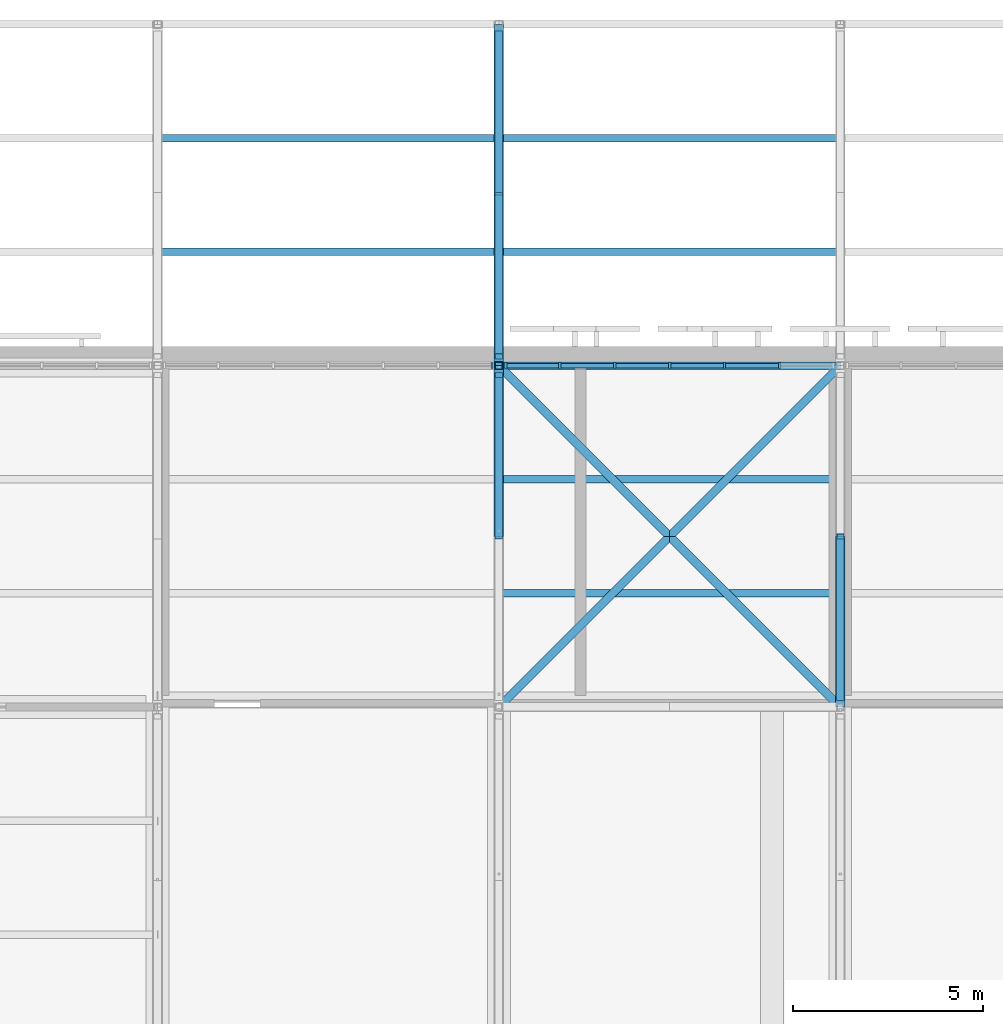
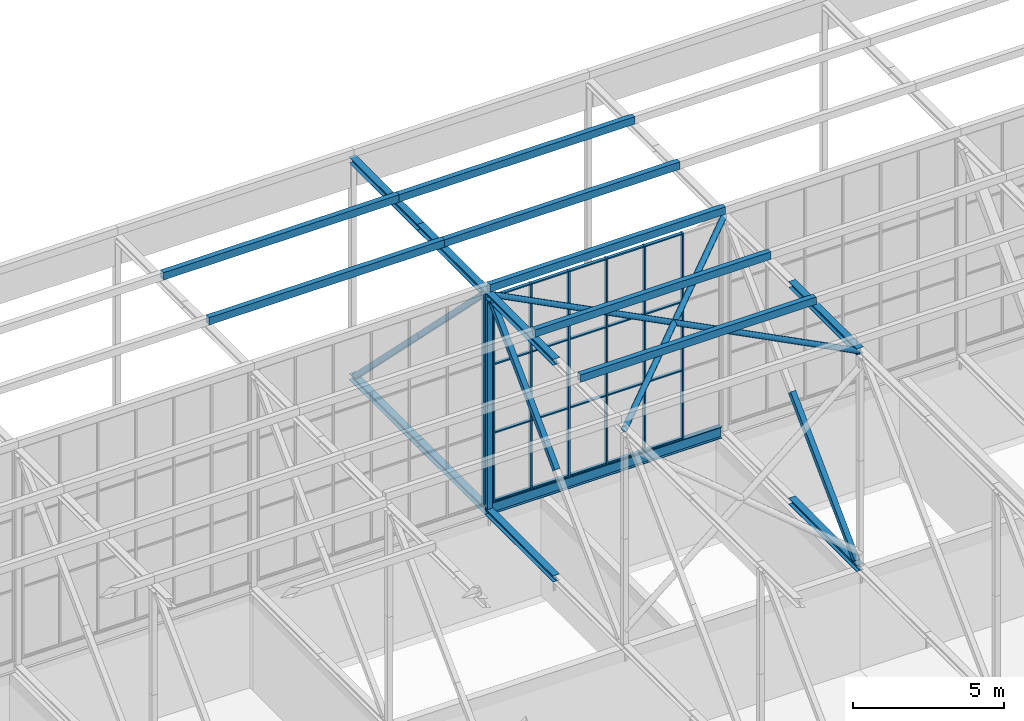
# One storey, part 118 of 646: 52 members, 1 beam, 2 elements without a shape of their own.
"""IFC4 building model written with IfcOpenShell, lengths in metres."""

import ifcopenshell
import ifcopenshell.guid

model = None  # the IFC model being written
_history = None  # IfcOwnerHistory: only IFC2X3 demands one
_inside = {}  # id of a spatial element -> (the spatial element, [elements in it])
_under = {}  # id of a project, library or spatial element -> (it, [spatial elements below it])
_declared = {}  # id of a project -> (the project, [libraries it declares])
_typed = {}  # id of a type object -> (the type object, [elements of that type])
_made_of = {}  # id of a material, layer set ... -> (it, [elements and type objects made of it])


def new_model(schema):
    """Start an empty IFC model of exactly this schema.

    Asked for "IFC4X3", IfcOpenShell would pick the latest addendum, in which some entities
    have other attributes; the version numbers below select the first issue.
    IFC2X3 requires an IfcOwnerHistory on every rooted entity: one is made here for all.
    """
    global model, _history
    if schema == "IFC4X3":
        model = ifcopenshell.file(schema_version=(4, 3, 0, 0))
    else:
        model = ifcopenshell.file(schema=schema)
    _inside.clear()
    _under.clear()
    _declared.clear()
    _typed.clear()
    _made_of.clear()
    _history = None
    if model.schema == "IFC2X3":
        org = make("IfcOrganization", Name="unknown")
        user = make(
            "IfcPersonAndOrganization",
            ThePerson=make("IfcPerson", FamilyName="unknown"),
            TheOrganization=org,
        )
        app = make(
            "IfcApplication",
            ApplicationDeveloper=org,
            Version="unknown",
            ApplicationFullName="unknown",
            ApplicationIdentifier="unknown",
        )
        _history = make(
            "IfcOwnerHistory",
            OwningUser=user,
            OwningApplication=app,
            ChangeAction="ADDED",
            CreationDate=0,
        )
    return model


def make(cls, **values):
    """One entity of the class cls with the attributes given. An attribute that is None is left unset."""
    return model.create_entity(
        cls, **{name: value for name, value in values.items() if value is not None}
    )


def rooted(cls, **values):
    """An entity with a GlobalId (a new one), such as an element, a storey or a relation."""
    return make(cls, GlobalId=ifcopenshell.guid.new(), OwnerHistory=_history, **values)


def si_unit(unit_type, name, prefix=None):
    """IfcSIUnit, for example si_unit("LENGTHUNIT", "METRE", prefix="MILLI")."""
    return make("IfcSIUnit", UnitType=unit_type, Prefix=prefix, Name=name)


def assignment(units):
    """IfcUnitAssignment: the units of a project."""
    return None if units is None else make("IfcUnitAssignment", Units=units)


def point(xyz):
    """IfcCartesianPoint."""
    return None if xyz is None else make("IfcCartesianPoint", Coordinates=xyz)


def direction(xyz):
    """IfcDirection."""
    return None if xyz is None else make("IfcDirection", DirectionRatios=xyz)


def frame(location, z_axis=None, x_axis=None):
    """IfcAxis2Placement3D, a coordinate frame: its origin and axes. An axis left out is left unset."""
    return make(
        "IfcAxis2Placement3D",
        Location=point(location),
        Axis=direction(z_axis),
        RefDirection=direction(x_axis),
    )


def frame_2d(location, x_axis=None):
    """IfcAxis2Placement2D, a coordinate frame in the plane: its origin and x axis."""
    return make(
        "IfcAxis2Placement2D", Location=point(location), RefDirection=direction(x_axis)
    )


def origin():
    """The frame at (0, 0, 0) with its axes left unset."""
    return frame((0.0, 0.0, 0.0))


def origin_2d():
    """The frame at (0, 0) in the plane with its x axis left unset."""
    return frame_2d((0.0, 0.0))


def place(relative_to, where):
    """IfcLocalPlacement: puts the frame where relative to a parent placement (None: the world)."""
    return make(
        "IfcLocalPlacement", PlacementRelTo=relative_to, RelativePlacement=where
    )


def context(
    kind, dimensions, precision=None, world=None, true_north=None, identifier=None
):
    """IfcGeometricRepresentationContext, for example the 3D "Model" context."""
    return make(
        "IfcGeometricRepresentationContext",
        ContextIdentifier=identifier,
        ContextType=kind,
        CoordinateSpaceDimension=dimensions,
        Precision=precision,
        WorldCoordinateSystem=world,
        TrueNorth=true_north,
    )


def subcontext(parent, identifier, kind, view, scale=None):
    """IfcGeometricRepresentationSubContext, for example "Body" below "Model"."""
    return make(
        "IfcGeometricRepresentationSubContext",
        ContextIdentifier=identifier,
        ContextType=kind,
        ParentContext=parent,
        TargetScale=scale,
        TargetView=view,
    )


def project(units=None, contexts=None):
    """IfcProject with its units and contexts."""
    return rooted(
        "IfcProject",
        Name="project",
        RepresentationContexts=contexts,
        UnitsInContext=assignment(units),
    )


def spatial(cls, under=None, at=None, **own):
    """A site, building, storey or space (cls), placed at a placement, below another one or the project."""
    s = rooted(cls, ObjectPlacement=at, **own)
    if under is not None:
        _under.setdefault(under.id(), (under, []))[1].append(s)
    return s


def profile(cls, at=None, kind="AREA", **sizes):
    """A parametric profile (cls). Its sizes go by their IFC names, for example OverallWidth=200.0."""
    return make(cls, ProfileType=kind, Position=at, **sizes)


def rectangle(**sizes):
    """IfcRectangleProfileDef."""
    return profile("IfcRectangleProfileDef", **sizes)


def hollow_rectangle(**sizes):
    """IfcRectangleHollowProfileDef."""
    return profile("IfcRectangleHollowProfileDef", **sizes)


def hollow_circle(**sizes):
    """IfcCircleHollowProfileDef."""
    return profile("IfcCircleHollowProfileDef", **sizes)


def i_section(**sizes):
    """IfcIShapeProfileDef."""
    return profile("IfcIShapeProfileDef", **sizes)


def extrude(swept, where, along, depth):
    """IfcExtrudedAreaSolid: the profile swept, set in the frame where, extruded along a direction by depth."""
    return make(
        "IfcExtrudedAreaSolid",
        SweptArea=swept,
        Position=where,
        ExtrudedDirection=direction(along),
        Depth=depth,
    )


def shape(context_of_items, identifier, shape_type, items):
    """IfcShapeRepresentation: the items that make up one representation, for example the "Body"."""
    return make(
        "IfcShapeRepresentation",
        ContextOfItems=context_of_items,
        RepresentationIdentifier=identifier,
        RepresentationType=shape_type,
        Items=items,
    )


def material(Name=None, Category=None):
    """IfcMaterial."""
    return make("IfcMaterial", Name=Name, Category=Category)


def material_profile(
    of_material, cross_section, Name=None, Category=None, Priority=None
):
    """IfcMaterialProfile: a cross section and its material."""
    return make(
        "IfcMaterialProfile",
        Name=Name,
        Material=of_material,
        Profile=cross_section,
        Priority=Priority,
        Category=Category,
    )


def profile_set(profiles, Name=None, composite=None):
    """IfcMaterialProfileSet."""
    return make(
        "IfcMaterialProfileSet",
        Name=Name,
        MaterialProfiles=profiles,
        CompositeProfile=composite,
    )


def made_of(thing, what):
    """Note that an element or type object is made of a material, layer set ...; save() writes the relation."""
    if what is not None:
        _made_of.setdefault(what.id(), (what, []))[1].append(thing)
    return thing


def type_object(cls, material=None, **own):
    """A type object (cls), such as IfcWallType, which elements share."""
    return made_of(rooted(cls, **own), material)


def element(
    cls,
    number,
    at=None,
    inside=None,
    cuts=None,
    type_object=None,
    material=None,
    context=None,
    identifier="Body",
    shape_type=None,
    held_by="IfcProductDefinitionShape",
    body=None,
    shapes=None,
    **own,
):
    """One element of the class cls, such as IfcWall. Its Tag is "e" and its number.

    at: its placement. inside: the storey or other place that contains it. cuts: it is an
    opening in that element (IfcRelVoidsElement). A single representation is given by context,
    identifier, shape_type and body (its items); several are given by shapes. held_by: the class
    of the entity that holds the representations. save() writes the other relations.
    """
    e = rooted(cls, Tag="e%d" % number, ObjectPlacement=at, **own)
    if body is not None:
        shapes = [shape(context, identifier, shape_type, body)]
    if shapes is not None:
        e.Representation = make(held_by, Representations=shapes)
    if inside is not None:
        _inside.setdefault(inside.id(), (inside, []))[1].append(e)
    if cuts is not None:
        rooted(
            "IfcRelVoidsElement", RelatingBuildingElement=cuts, RelatedOpeningElement=e
        )
    if type_object is not None:
        _typed.setdefault(type_object.id(), (type_object, []))[1].append(e)
    return made_of(e, material)


def aggregate(whole, parts):
    """IfcRelAggregates: a whole, such as a stair, and the parts it consists of."""
    return rooted("IfcRelAggregates", RelatingObject=whole, RelatedObjects=parts)


def save(model, path):
    """Write the relations noted so far, then the file.

    IfcRelAggregates (storeys below a building ...), IfcRelContainedInSpatialStructure (elements
    in a storey), IfcRelDefinesByType, IfcRelAssociatesMaterial and IfcRelDeclares: one each for
    every whole, place, type object, material and project.
    """
    for whole, parts in _under.values():
        aggregate(whole, parts)
    for where, things in _inside.values():
        rooted(
            "IfcRelContainedInSpatialStructure",
            RelatedElements=things,
            RelatingStructure=where,
        )
    for kind, things in _typed.values():
        rooted("IfcRelDefinesByType", RelatedObjects=things, RelatingType=kind)
    for what, things in _made_of.values():
        rooted("IfcRelAssociatesMaterial", RelatedObjects=things, RelatingMaterial=what)
    for by, libraries in _declared.values():
        rooted("IfcRelDeclares", RelatingContext=by, RelatedDefinitions=libraries)
    model.write(path)


model = new_model("IFC4")

# Units and contexts
model_context = context("Model", 3, precision=1e-05, world=origin(), true_north=direction((0.0, 1.0)))
body_context = subcontext(model_context, "Body", "Model", "MODEL_VIEW")
ifc_project = project(units=[si_unit("LENGTHUNIT", "METRE"), si_unit("AREAUNIT", "SQUARE_METRE"), si_unit("VOLUMEUNIT", "CUBIC_METRE"), si_unit("PLANEANGLEUNIT", "RADIAN"), si_unit("MASSUNIT", "GRAM", prefix="KILO")], contexts=[model_context])

# Site, building, storey
site_placement = place(None, origin())
site = spatial("IfcSite", under=ifc_project, at=site_placement, CompositionType="ELEMENT")
building_placement = place(site_placement, origin())
building = spatial("IfcBuilding", under=site, at=building_placement, Name="Silverbay Arena", CompositionType="ELEMENT")
storey_placement = place(building_placement, frame((0.0, 0.0, 33.5)))
storey = spatial("IfcBuildingStorey", under=building, at=storey_placement, Name="L05", CompositionType="ELEMENT", Elevation=33.5)

# Members
ifc_material_1 = material(Name="Steel S355", Category="steel")
ifc_material_profile_1 = material_profile(ifc_material_1, i_section(OverallWidth=0.254638671875, OverallDepth=0.254150390625, WebThickness=0.008544921875, FlangeThickness=0.01416015625, at=origin_2d()), Name="UC 254x254x73")
ifc_profile_set_1 = profile_set([ifc_material_profile_1], Name="Steel S355")
member_type_1 = type_object("IfcMemberType", Name="Medium-span bottom chord UC 254x254x73", PredefinedType="CHORD", material=ifc_profile_set_1)
for number, where, z_axis, x_axis, name in (
    (1, (90.0, 139.5, 4.126953125), (0.0, 1.0, 0.0), (-1.0, 0.0, 0.0), "ROOF TRUSS 11 bottom chord 15b"),
    (2, (90.0, 144.0, 4.126953125), (0.0, 1.0, 0.0), (-1.0, 0.0, 0.0), "ROOF TRUSS 11 bottom chord 16a"),
    (3, (90.0, 148.5, 4.126953125), (0.0, 1.0, 0.0), (-1.0, 0.0, 0.0), "ROOF TRUSS 11 bottom chord 16b"),
    (4, (99.0, 135.0, 4.126953125), (0.0, 1.0, 0.0), (-1.0, 0.0, 0.0), "ROOF TRUSS 12 bottom chord 15a"),
):
    element("IfcMember", number, at=place(storey_placement, frame(where, z_axis=z_axis, x_axis=x_axis)), inside=storey, type_object=member_type_1, Name=name, PredefinedType="CHORD", context=body_context, shape_type="SweptSolid", body=[
        extrude(i_section(OverallWidth=0.254638671875, OverallDepth=0.254150390625, WebThickness=0.008544921875, FlangeThickness=0.01416015625, at=origin_2d()), origin(), (0.0, 0.0, 1.0), 4.5),
    ])
ifc_material_2 = material(Name="Steel S355", Category="steel")
ifc_material_profile_2 = material_profile(ifc_material_2, i_section(OverallWidth=0.254638671875, OverallDepth=0.254150390625, WebThickness=0.008544921875, FlangeThickness=0.01416015625, at=origin_2d()), Name="UC 254x254x73")
ifc_profile_set_2 = profile_set([ifc_material_profile_2], Name="Steel S355")
member_type_2 = type_object("IfcMemberType", Name="Medium-span top chord UC 254x254x73", PredefinedType="CHORD", material=ifc_profile_set_2)
for number, where, z_axis, x_axis, name in (
    (5, (90.0, 139.5, 12.873046875), (0.0, 1.0, 0.0), (-1.0, 0.0, 0.0), "ROOF TRUSS 11 top chord 15b"),
    (6, (90.0, 144.0, 12.873046875), (0.0, 1.0, 0.0), (-1.0, 0.0, 0.0), "ROOF TRUSS 11 top chord 16a"),
    (7, (90.0, 148.5, 12.873046875), (0.0, 1.0, 0.0), (-1.0, 0.0, 0.0), "ROOF TRUSS 11 top chord 16b"),
    (8, (99.0, 135.0, 12.873046875), (0.0, 1.0, 0.0), (-1.0, 0.0, 0.0), "ROOF TRUSS 12 top chord 15a"),
):
    element("IfcMember", number, at=place(storey_placement, frame(where, z_axis=z_axis, x_axis=x_axis)), inside=storey, type_object=member_type_2, Name=name, PredefinedType="CHORD", context=body_context, shape_type="SweptSolid", body=[
        extrude(i_section(OverallWidth=0.254638671875, OverallDepth=0.254150390625, WebThickness=0.008544921875, FlangeThickness=0.01416015625, at=origin_2d()), origin(), (0.0, 0.0, 1.0), 4.5),
    ])
ifc_material_3 = material(Name="Steel S355", Category="steel")
ifc_material_profile_3 = material_profile(ifc_material_3, hollow_rectangle(XDim=0.199951171875, YDim=0.199951171875, WallThickness=0.008056640625, at=origin_2d()), Name="SHS 200x200x8")
ifc_profile_set_3 = profile_set([ifc_material_profile_3], Name="Steel S355")
member_type_3 = type_object("IfcMemberType", Name="Medium-span truss diagonal SHS 200x200x8", PredefinedType="BRACE", material=ifc_profile_set_3)
for number, where, z_axis, x_axis, name in (
    (9, (90.0, 143.75439453125, 12.745849609375), (0.0, -0.70781724692, -0.706395600894), (1.0, 0.0, 0.0), "ROOF TRUSS 11 diagonal 15a"),
    (10, (90.0, 144.24560546875, 12.745849609375), (0.0, 0.70781724692, -0.706395600894), (-1.0, 0.0, 0.0), "ROOF TRUSS 11 diagonal 16a"),
    (11, (90.0, 148.5, 8.5), (0.0, 0.70781724692, -0.706395600894), (-1.0, 0.0, 0.0), "ROOF TRUSS 11 diagonal 16b"),
    (12, (99.0, 139.5, 8.5), (0.0, -0.70781724692, -0.706395600894), (1.0, 0.0, 0.0), "ROOF TRUSS 12 diagonal 15b"),
):
    element("IfcMember", number, at=place(storey_placement, frame(where, z_axis=z_axis, x_axis=x_axis)), inside=storey, type_object=member_type_3, Name=name, PredefinedType="BRACE", context=body_context, shape_type="SweptSolid", body=[
        extrude(hollow_rectangle(XDim=0.199951171875, YDim=0.199951171875, WallThickness=0.008056640625, at=origin_2d()), origin(), (0.0, 0.0, 1.0), 6.010498046875),
    ])
ifc_material_4 = material(Name="Steel S355", Category="steel")
ifc_material_profile_4 = material_profile(ifc_material_4, hollow_rectangle(XDim=0.199951171875, YDim=0.199951171875, WallThickness=0.008056640625, at=origin_2d()), Name="SHS 200x200x8")
ifc_profile_set_4 = profile_set([ifc_material_profile_4], Name="Steel S355")
member_type_4 = type_object("IfcMemberType", Name="Medium-span truss vertical SHS 200x200x8", PredefinedType="STRUT", material=ifc_profile_set_4)
for number, where, z_axis, x_axis, name in (
    (13, (90.0, 144.0, 4.254150390625), (0.0, 0.0, 1.0), (1.0, 0.0, 0.0), "ROOF TRUSS 11 vertical 16a"),
    (14, (90.0, 144.0, 8.5), (0.0, 0.0, 1.0), (1.0, 0.0, 0.0), "ROOF TRUSS 11 vertical 16b"),
):
    element("IfcMember", number, at=place(storey_placement, frame(where, z_axis=z_axis, x_axis=x_axis)), inside=storey, type_object=member_type_4, Name=name, PredefinedType="STRUT", context=body_context, shape_type="SweptSolid", body=[
        extrude(hollow_rectangle(XDim=0.199951171875, YDim=0.199951171875, WallThickness=0.008056640625, at=origin_2d()), origin(), (0.0, 0.0, 1.0), 4.245849609375),
    ])

# Curtain wall, member
ifc_material_5 = material(Name="Aluminium framed glazing", Category="aluminium")
curtain_wall_type_1 = type_object("IfcCurtainWallType", Name="Curtain wall clerestory 8693 x 8540", PredefinedType="NOTDEFINED", material=ifc_material_5)
curtain_wall_1_placement = place(storey_placement, origin())
curtain_wall_1 = element("IfcCurtainWall", 15, at=curtain_wall_1_placement, inside=storey, type_object=curtain_wall_type_1, Name="ROOF CLERESTORY CURTAIN WALL north bay 04", PredefinedType="NOTDEFINED")
ifc_material_6 = material(Name="Aluminium", Category="aluminium")
ifc_material_profile_5 = material_profile(ifc_material_6, rectangle(XDim=0.159912109375, YDim=0.06005859375, at=origin_2d()), Name="Mullion 60 x 160")
ifc_profile_set_5 = profile_set([ifc_material_profile_5], Name="Aluminium")
member_type_5 = type_object("IfcMemberType", Name="Mullion 60 x 160", PredefinedType="MULLION", material=ifc_profile_set_5)
member_1_placement = place(storey_placement, frame((89.81640625, 144.0, 4.4599609375), z_axis=(0.0, 0.0, 1.0), x_axis=(0.0, 1.0, 0.0)))
member_1 = element("IfcMember", 16, at=member_1_placement, type_object=member_type_5, Name="CW55 mullion 7", PredefinedType="MULLION", context=body_context, shape_type="SweptSolid", body=[
    extrude(rectangle(XDim=0.159912109375, YDim=0.06005859375, at=origin_2d()), origin(), (0.0, 0.0, 1.0), 8.5400390625),
])
aggregate(curtain_wall_1, [member_1])

# Curtain wall, members
ifc_material_7 = material(Name="Aluminium framed glazing", Category="aluminium")
curtain_wall_type_2 = type_object("IfcCurtainWallType", Name="Curtain wall clerestory 8693 x 8303", PredefinedType="NOTDEFINED", material=ifc_material_7)
curtain_wall_2_placement = place(storey_placement, origin())
curtain_wall_2 = element("IfcCurtainWall", 17, at=curtain_wall_2_placement, inside=storey, type_object=curtain_wall_type_2, Name="ROOF CLERESTORY CURTAIN WALL north bay 05", PredefinedType="NOTDEFINED")
member_2_placement = place(storey_placement, frame((90.18359375, 144.0, 4.4599609375), z_axis=(0.0, 0.0, 1.0), x_axis=(0.0, 1.0, 0.0)))
member_2 = element("IfcMember", 18, at=member_2_placement, type_object=member_type_5, Name="CW54 mullion 1", PredefinedType="MULLION", context=body_context, shape_type="SweptSolid", body=[
    extrude(rectangle(XDim=0.159912109375, YDim=0.06005859375, at=origin_2d()), origin(), (0.0, 0.0, 1.0), 8.303466796875),
])
member_3_placement = place(storey_placement, frame((91.6025390625, 144.0, 4.4599609375), z_axis=(0.0, 0.0, 1.0), x_axis=(0.0, 1.0, 0.0)))
member_3 = element("IfcMember", 19, at=member_3_placement, type_object=member_type_5, Name="CW54 mullion 2", PredefinedType="MULLION", context=body_context, shape_type="SweptSolid", body=[
    extrude(rectangle(XDim=0.159912109375, YDim=0.06005859375, at=origin_2d()), origin(), (0.0, 0.0, 1.0), 8.303466796875),
])
member_4_placement = place(storey_placement, frame((93.05126953125, 144.0, 4.4599609375), z_axis=(0.0, 0.0, 1.0), x_axis=(0.0, 1.0, 0.0)))
member_4 = element("IfcMember", 20, at=member_4_placement, type_object=member_type_5, Name="CW54 mullion 3", PredefinedType="MULLION", context=body_context, shape_type="SweptSolid", body=[
    extrude(rectangle(XDim=0.159912109375, YDim=0.06005859375, at=origin_2d()), origin(), (0.0, 0.0, 1.0), 8.303466796875),
])
member_5_placement = place(storey_placement, frame((94.5, 144.0, 4.4599609375), z_axis=(0.0, 0.0, 1.0), x_axis=(0.0, 1.0, 0.0)))
member_5 = element("IfcMember", 21, at=member_5_placement, type_object=member_type_5, Name="CW54 mullion 4", PredefinedType="MULLION", context=body_context, shape_type="SweptSolid", body=[
    extrude(rectangle(XDim=0.159912109375, YDim=0.06005859375, at=origin_2d()), origin(), (0.0, 0.0, 1.0), 8.303466796875),
])
member_6_placement = place(storey_placement, frame((95.94873046875, 144.0, 4.4599609375), z_axis=(0.0, 0.0, 1.0), x_axis=(0.0, 1.0, 0.0)))
member_6 = element("IfcMember", 22, at=member_6_placement, type_object=member_type_5, Name="CW54 mullion 5", PredefinedType="MULLION", context=body_context, shape_type="SweptSolid", body=[
    extrude(rectangle(XDim=0.159912109375, YDim=0.06005859375, at=origin_2d()), origin(), (0.0, 0.0, 1.0), 8.303466796875),
])
member_7_placement = place(storey_placement, frame((97.3974609375, 144.0, 4.4599609375), z_axis=(0.0, 0.0, 1.0), x_axis=(0.0, 1.0, 0.0)))
member_7 = element("IfcMember", 23, at=member_7_placement, type_object=member_type_5, Name="CW54 mullion 6", PredefinedType="MULLION", context=body_context, shape_type="SweptSolid", body=[
    extrude(rectangle(XDim=0.159912109375, YDim=0.06005859375, at=origin_2d()), origin(), (0.0, 0.0, 1.0), 8.303466796875),
])

# Members
ifc_material_8 = material(Name="Steel S355", Category="steel")
ifc_material_profile_6 = material_profile(ifc_material_8, hollow_circle(Radius=0.109619140625, WallThickness=0.00634765625, at=origin_2d()), Name="CHS 219.1x6.3")
ifc_profile_set_6 = profile_set([ifc_material_profile_6], Name="Steel S355")
member_type_6 = type_object("IfcMemberType", Name="Plan bracing CHS 219.1x6.3", PredefinedType="BRACE", material=ifc_profile_set_6)
for number, where, z_axis, x_axis, name in (
    (24, (90.0, 135.0, 12.873046875), (0.707106781187, 0.707106781187, 0.0), (-0.707106781187, 0.707106781187, 0.0), "ROOF BRACING top 11-12 panel 15 Aa"),
    (25, (94.5, 139.5, 12.873046875), (0.707106781187, 0.707106781187, 0.0), (-0.707106781187, 0.707106781187, 0.0), "ROOF BRACING top 11-12 panel 15 Ab"),
    (26, (90.0, 144.0, 12.873046875), (0.707106781187, -0.707106781187, 0.0), (0.707106781187, 0.707106781187, 0.0), "ROOF BRACING top 11-12 panel 15 Ba"),
    (27, (94.5, 139.5, 12.873046875), (0.707106781187, -0.707106781187, 0.0), (0.707106781187, 0.707106781187, 0.0), "ROOF BRACING top 11-12 panel 15 Bb"),
):
    element("IfcMember", number, at=place(storey_placement, frame(where, z_axis=z_axis, x_axis=x_axis)), inside=storey, type_object=member_type_6, Name=name, PredefinedType="BRACE", context=body_context, shape_type="SweptSolid", body=[
        extrude(hollow_circle(Radius=0.109619140625, WallThickness=0.00634765625, at=origin_2d()), origin(), (0.0, 0.0, 1.0), 6.364013671875),
    ])
ifc_material_9 = material(Name="Steel S355", Category="steel")
ifc_material_profile_7 = material_profile(ifc_material_9, hollow_rectangle(XDim=0.199951171875, YDim=0.300048828125, WallThickness=0.00634765625, at=origin_2d()), Name="RHS 300x200x6.3")
ifc_profile_set_7 = profile_set([ifc_material_profile_7], Name="Steel S355")
member_type_7 = type_object("IfcMemberType", Name="Purlin RHS 300x200x6.3", PredefinedType="PURLIN", material=ifc_profile_set_7)
member_8_placement = place(storey_placement, frame((90.0, 138.0, 13.14990234375), z_axis=(1.0, 0.0, 0.0), x_axis=(0.0, 1.0, 0.0)))
element("IfcMember", 28, at=member_8_placement, inside=storey, type_object=member_type_7, Name="ROOF PURLIN 11-12 line 44", PredefinedType="PURLIN", context=body_context, shape_type="SweptSolid", body=[
    extrude(hollow_rectangle(XDim=0.199951171875, YDim=0.300048828125, WallThickness=0.00634765625, at=origin_2d()), origin(), (0.0, 0.0, 1.0), 9.0),
])
ifc_material_10 = material(Name="Steel S355", Category="steel")
ifc_material_profile_8 = material_profile(ifc_material_10, hollow_rectangle(XDim=0.199951171875, YDim=0.300048828125, WallThickness=0.008056640625, at=origin_2d()), Name="RHS 300x200x8")
ifc_profile_set_8 = profile_set([ifc_material_profile_8], Name="Steel S355")
member_type_8 = type_object("IfcMemberType", Name="Purlin RHS 300x200x8", PredefinedType="PURLIN", material=ifc_profile_set_8)
for number, where, z_axis, x_axis, name in (
    (29, (81.0, 147.0, 13.14990234375), (1.0, 0.0, 0.0), (0.0, 1.0, 0.0), "ROOF PURLIN 10-11 line 47"),
    (30, (81.0, 150.0, 13.14990234375), (1.0, 0.0, 0.0), (0.0, 1.0, 0.0), "ROOF PURLIN 10-11 line 48"),
    (31, (90.0, 141.0, 13.14990234375), (1.0, 0.0, 0.0), (0.0, 1.0, 0.0), "ROOF PURLIN 11-12 line 45"),
    (32, (90.0, 144.0, 13.14990234375), (1.0, 0.0, 0.0), (0.0, 1.0, 0.0), "ROOF PURLIN 11-12 line 46"),
    (33, (90.0, 147.0, 13.14990234375), (1.0, 0.0, 0.0), (0.0, 1.0, 0.0), "ROOF PURLIN 11-12 line 47"),
    (34, (90.0, 150.0, 13.14990234375), (1.0, 0.0, 0.0), (0.0, 1.0, 0.0), "ROOF PURLIN 11-12 line 48"),
):
    element("IfcMember", number, at=place(storey_placement, frame(where, z_axis=z_axis, x_axis=x_axis)), inside=storey, type_object=member_type_8, Name=name, PredefinedType="PURLIN", context=body_context, shape_type="SweptSolid", body=[
        extrude(hollow_rectangle(XDim=0.199951171875, YDim=0.300048828125, WallThickness=0.008056640625, at=origin_2d()), origin(), (0.0, 0.0, 1.0), 9.0),
    ])

# Beam
ifc_material_11 = material(Name="Steel S355", Category="steel")
ifc_material_profile_9 = material_profile(ifc_material_11, i_section(OverallWidth=0.19140625, OverallDepth=0.4599609375, WebThickness=0.010009765625, FlangeThickness=0.01611328125, at=origin_2d()), Name="UB 457x191x82")
ifc_profile_set_9 = profile_set([ifc_material_profile_9], Name="Steel S355")
beam_type = type_object("IfcBeamType", Name="Ring beam UB 457x191x82", PredefinedType="BEAM", material=ifc_profile_set_9)
beam_placement = place(storey_placement, frame((90.127197265625, 144.0, 4.22998046875), z_axis=(1.0, 0.0, 0.0), x_axis=(0.0, 1.0, 0.0)))
element("IfcBeam", 35, at=beam_placement, inside=storey, type_object=beam_type, Name="RING BEAM north facade 11-12", PredefinedType="BEAM", context=body_context, shape_type="SweptSolid", body=[
    extrude(i_section(OverallWidth=0.19140625, OverallDepth=0.4599609375, WebThickness=0.010009765625, FlangeThickness=0.01611328125, at=origin_2d()), origin(), (0.0, 0.0, 1.0), 8.74560546875),
])

# Member
ifc_material_12 = material(Name="Aluminium", Category="aluminium")
ifc_material_profile_10 = material_profile(ifc_material_12, rectangle(XDim=0.1201171875, YDim=0.050048828125, at=origin_2d()), Name="Transom 50 x 120")
ifc_profile_set_10 = profile_set([ifc_material_profile_10], Name="Aluminium")
member_type_9 = type_object("IfcMemberType", Name="Transom 50 x 120", PredefinedType="USERDEFINED", material=ifc_profile_set_10)
member_9_placement = place(storey_placement, frame((90.213623046875, 144.0, 4.485107421875), z_axis=(1.0, 0.0, 0.0), x_axis=(0.0, 1.0, 0.0)))
member_9 = element("IfcMember", 36, at=member_9_placement, type_object=member_type_9, Name="CW54 transom 1.1", ObjectType="TRANSOM", PredefinedType="USERDEFINED", context=body_context, shape_type="SweptSolid", body=[
    extrude(rectangle(XDim=0.1201171875, YDim=0.050048828125, at=origin_2d()), origin(), (0.0, 0.0, 1.0), 1.35888671875),
])

member_10_placement = place(storey_placement, frame((90.213623046875, 144.0, 7.227783203125), z_axis=(1.0, 0.0, 0.0), x_axis=(0.0, 1.0, 0.0)))
member_10 = element("IfcMember", 37, at=member_10_placement, type_object=member_type_9, Name="CW54 transom 1.2", ObjectType="TRANSOM", PredefinedType="USERDEFINED", context=body_context, shape_type="SweptSolid", body=[
    extrude(rectangle(XDim=0.1201171875, YDim=0.050048828125, at=origin_2d()), origin(), (0.0, 0.0, 1.0), 1.35888671875),
])

member_11_placement = place(storey_placement, frame((90.213623046875, 144.0, 9.99560546875), z_axis=(1.0, 0.0, 0.0), x_axis=(0.0, 1.0, 0.0)))
member_11 = element("IfcMember", 38, at=member_11_placement, type_object=member_type_9, Name="CW54 transom 1.3", ObjectType="TRANSOM", PredefinedType="USERDEFINED", context=body_context, shape_type="SweptSolid", body=[
    extrude(rectangle(XDim=0.1201171875, YDim=0.050048828125, at=origin_2d()), origin(), (0.0, 0.0, 1.0), 1.35888671875),
])

member_12_placement = place(storey_placement, frame((90.213623046875, 144.0, 12.73828125), z_axis=(1.0, 0.0, 0.0), x_axis=(0.0, 1.0, 0.0)))
member_12 = element("IfcMember", 39, at=member_12_placement, type_object=member_type_9, Name="CW54 transom 1.4", ObjectType="TRANSOM", PredefinedType="USERDEFINED", context=body_context, shape_type="SweptSolid", body=[
    extrude(rectangle(XDim=0.1201171875, YDim=0.050048828125, at=origin_2d()), origin(), (0.0, 0.0, 1.0), 1.35888671875),
])

member_13_placement = place(storey_placement, frame((91.632568359375, 144.0, 4.485107421875), z_axis=(1.0, 0.0, 0.0), x_axis=(0.0, 1.0, 0.0)))
member_13 = element("IfcMember", 40, at=member_13_placement, type_object=member_type_9, Name="CW54 transom 2.1", ObjectType="TRANSOM", PredefinedType="USERDEFINED", context=body_context, shape_type="SweptSolid", body=[
    extrude(rectangle(XDim=0.1201171875, YDim=0.050048828125, at=origin_2d()), origin(), (0.0, 0.0, 1.0), 1.388671875),
])

member_14_placement = place(storey_placement, frame((91.632568359375, 144.0, 7.227783203125), z_axis=(1.0, 0.0, 0.0), x_axis=(0.0, 1.0, 0.0)))
member_14 = element("IfcMember", 41, at=member_14_placement, type_object=member_type_9, Name="CW54 transom 2.2", ObjectType="TRANSOM", PredefinedType="USERDEFINED", context=body_context, shape_type="SweptSolid", body=[
    extrude(rectangle(XDim=0.1201171875, YDim=0.050048828125, at=origin_2d()), origin(), (0.0, 0.0, 1.0), 1.388671875),
])

member_15_placement = place(storey_placement, frame((91.632568359375, 144.0, 9.99560546875), z_axis=(1.0, 0.0, 0.0), x_axis=(0.0, 1.0, 0.0)))
member_15 = element("IfcMember", 42, at=member_15_placement, type_object=member_type_9, Name="CW54 transom 2.3", ObjectType="TRANSOM", PredefinedType="USERDEFINED", context=body_context, shape_type="SweptSolid", body=[
    extrude(rectangle(XDim=0.1201171875, YDim=0.050048828125, at=origin_2d()), origin(), (0.0, 0.0, 1.0), 1.388671875),
])

member_16_placement = place(storey_placement, frame((91.632568359375, 144.0, 12.73828125), z_axis=(1.0, 0.0, 0.0), x_axis=(0.0, 1.0, 0.0)))
member_16 = element("IfcMember", 43, at=member_16_placement, type_object=member_type_9, Name="CW54 transom 2.4", ObjectType="TRANSOM", PredefinedType="USERDEFINED", context=body_context, shape_type="SweptSolid", body=[
    extrude(rectangle(XDim=0.1201171875, YDim=0.050048828125, at=origin_2d()), origin(), (0.0, 0.0, 1.0), 1.388671875),
])

member_17_placement = place(storey_placement, frame((93.081298828125, 144.0, 4.485107421875), z_axis=(1.0, 0.0, 0.0), x_axis=(0.0, 1.0, 0.0)))
member_17 = element("IfcMember", 44, at=member_17_placement, type_object=member_type_9, Name="CW54 transom 3.1", ObjectType="TRANSOM", PredefinedType="USERDEFINED", context=body_context, shape_type="SweptSolid", body=[
    extrude(rectangle(XDim=0.1201171875, YDim=0.050048828125, at=origin_2d()), origin(), (0.0, 0.0, 1.0), 1.388671875),
])

member_18_placement = place(storey_placement, frame((93.081298828125, 144.0, 7.227783203125), z_axis=(1.0, 0.0, 0.0), x_axis=(0.0, 1.0, 0.0)))
member_18 = element("IfcMember", 45, at=member_18_placement, type_object=member_type_9, Name="CW54 transom 3.2", ObjectType="TRANSOM", PredefinedType="USERDEFINED", context=body_context, shape_type="SweptSolid", body=[
    extrude(rectangle(XDim=0.1201171875, YDim=0.050048828125, at=origin_2d()), origin(), (0.0, 0.0, 1.0), 1.388671875),
])

member_19_placement = place(storey_placement, frame((93.081298828125, 144.0, 9.99560546875), z_axis=(1.0, 0.0, 0.0), x_axis=(0.0, 1.0, 0.0)))
member_19 = element("IfcMember", 46, at=member_19_placement, type_object=member_type_9, Name="CW54 transom 3.3", ObjectType="TRANSOM", PredefinedType="USERDEFINED", context=body_context, shape_type="SweptSolid", body=[
    extrude(rectangle(XDim=0.1201171875, YDim=0.050048828125, at=origin_2d()), origin(), (0.0, 0.0, 1.0), 1.388671875),
])

member_20_placement = place(storey_placement, frame((93.081298828125, 144.0, 12.73828125), z_axis=(1.0, 0.0, 0.0), x_axis=(0.0, 1.0, 0.0)))
member_20 = element("IfcMember", 47, at=member_20_placement, type_object=member_type_9, Name="CW54 transom 3.4", ObjectType="TRANSOM", PredefinedType="USERDEFINED", context=body_context, shape_type="SweptSolid", body=[
    extrude(rectangle(XDim=0.1201171875, YDim=0.050048828125, at=origin_2d()), origin(), (0.0, 0.0, 1.0), 1.388671875),
])

member_21_placement = place(storey_placement, frame((94.530029296875, 144.0, 4.485107421875), z_axis=(1.0, 0.0, 0.0), x_axis=(0.0, 1.0, 0.0)))
member_21 = element("IfcMember", 48, at=member_21_placement, type_object=member_type_9, Name="CW54 transom 4.1", ObjectType="TRANSOM", PredefinedType="USERDEFINED", context=body_context, shape_type="SweptSolid", body=[
    extrude(rectangle(XDim=0.1201171875, YDim=0.050048828125, at=origin_2d()), origin(), (0.0, 0.0, 1.0), 1.388671875),
])

member_22_placement = place(storey_placement, frame((94.530029296875, 144.0, 7.227783203125), z_axis=(1.0, 0.0, 0.0), x_axis=(0.0, 1.0, 0.0)))
member_22 = element("IfcMember", 49, at=member_22_placement, type_object=member_type_9, Name="CW54 transom 4.2", ObjectType="TRANSOM", PredefinedType="USERDEFINED", context=body_context, shape_type="SweptSolid", body=[
    extrude(rectangle(XDim=0.1201171875, YDim=0.050048828125, at=origin_2d()), origin(), (0.0, 0.0, 1.0), 1.388671875),
])

member_23_placement = place(storey_placement, frame((94.530029296875, 144.0, 9.99560546875), z_axis=(1.0, 0.0, 0.0), x_axis=(0.0, 1.0, 0.0)))
member_23 = element("IfcMember", 50, at=member_23_placement, type_object=member_type_9, Name="CW54 transom 4.3", ObjectType="TRANSOM", PredefinedType="USERDEFINED", context=body_context, shape_type="SweptSolid", body=[
    extrude(rectangle(XDim=0.1201171875, YDim=0.050048828125, at=origin_2d()), origin(), (0.0, 0.0, 1.0), 1.388671875),
])

member_24_placement = place(storey_placement, frame((94.530029296875, 144.0, 12.73828125), z_axis=(1.0, 0.0, 0.0), x_axis=(0.0, 1.0, 0.0)))
member_24 = element("IfcMember", 51, at=member_24_placement, type_object=member_type_9, Name="CW54 transom 4.4", ObjectType="TRANSOM", PredefinedType="USERDEFINED", context=body_context, shape_type="SweptSolid", body=[
    extrude(rectangle(XDim=0.1201171875, YDim=0.050048828125, at=origin_2d()), origin(), (0.0, 0.0, 1.0), 1.388671875),
])

member_25_placement = place(storey_placement, frame((95.978759765625, 144.0, 4.485107421875), z_axis=(1.0, 0.0, 0.0), x_axis=(0.0, 1.0, 0.0)))
member_25 = element("IfcMember", 52, at=member_25_placement, type_object=member_type_9, Name="CW54 transom 5.1", ObjectType="TRANSOM", PredefinedType="USERDEFINED", context=body_context, shape_type="SweptSolid", body=[
    extrude(rectangle(XDim=0.1201171875, YDim=0.050048828125, at=origin_2d()), origin(), (0.0, 0.0, 1.0), 1.388671875),
])

member_26_placement = place(storey_placement, frame((95.978759765625, 144.0, 7.227783203125), z_axis=(1.0, 0.0, 0.0), x_axis=(0.0, 1.0, 0.0)))
member_26 = element("IfcMember", 53, at=member_26_placement, type_object=member_type_9, Name="CW54 transom 5.2", ObjectType="TRANSOM", PredefinedType="USERDEFINED", context=body_context, shape_type="SweptSolid", body=[
    extrude(rectangle(XDim=0.1201171875, YDim=0.050048828125, at=origin_2d()), origin(), (0.0, 0.0, 1.0), 1.388671875),
])

member_27_placement = place(storey_placement, frame((95.978759765625, 144.0, 9.99560546875), z_axis=(1.0, 0.0, 0.0), x_axis=(0.0, 1.0, 0.0)))
member_27 = element("IfcMember", 54, at=member_27_placement, type_object=member_type_9, Name="CW54 transom 5.3", ObjectType="TRANSOM", PredefinedType="USERDEFINED", context=body_context, shape_type="SweptSolid", body=[
    extrude(rectangle(XDim=0.1201171875, YDim=0.050048828125, at=origin_2d()), origin(), (0.0, 0.0, 1.0), 1.388671875),
])

member_28_placement = place(storey_placement, frame((95.978759765625, 144.0, 12.73828125), z_axis=(1.0, 0.0, 0.0), x_axis=(0.0, 1.0, 0.0)))
member_28 = element("IfcMember", 55, at=member_28_placement, type_object=member_type_9, Name="CW54 transom 5.4", ObjectType="TRANSOM", PredefinedType="USERDEFINED", context=body_context, shape_type="SweptSolid", body=[
    extrude(rectangle(XDim=0.1201171875, YDim=0.050048828125, at=origin_2d()), origin(), (0.0, 0.0, 1.0), 1.388671875),
])

aggregate(curtain_wall_2, [member_2, member_3, member_4, member_5, member_6, member_7, member_9, member_10, member_11, member_12, member_13, member_14, member_15, member_16, member_17, member_18, member_19, member_20, member_21, member_22, member_23, member_24, member_25, member_26, member_27, member_28])

save(model, "model.ifc")
